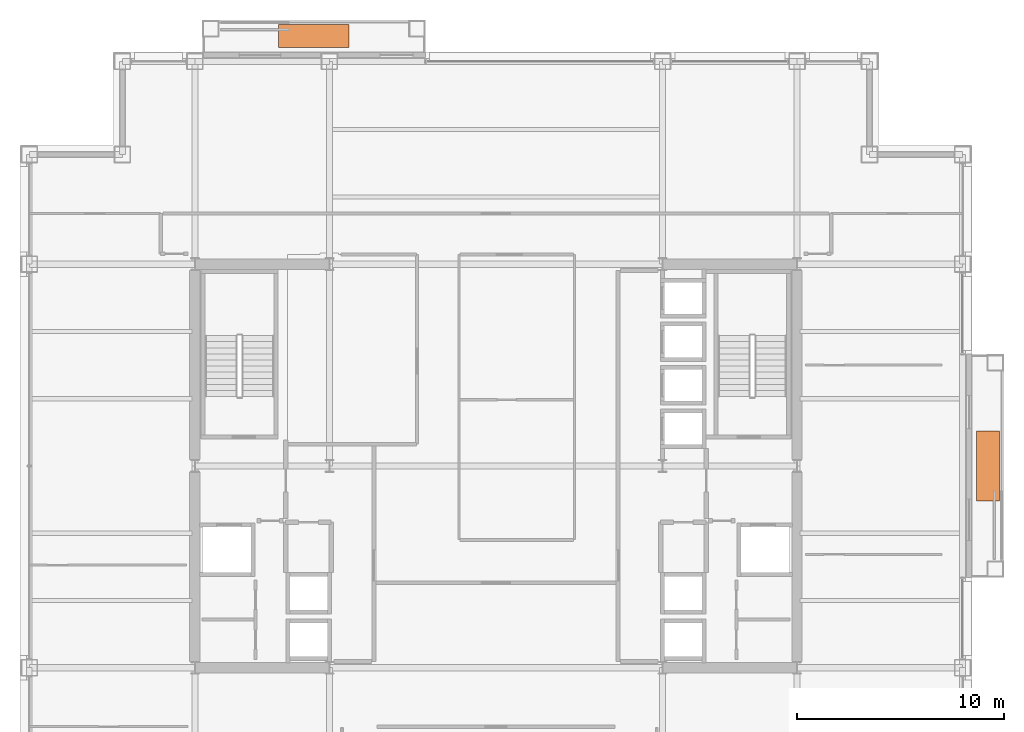
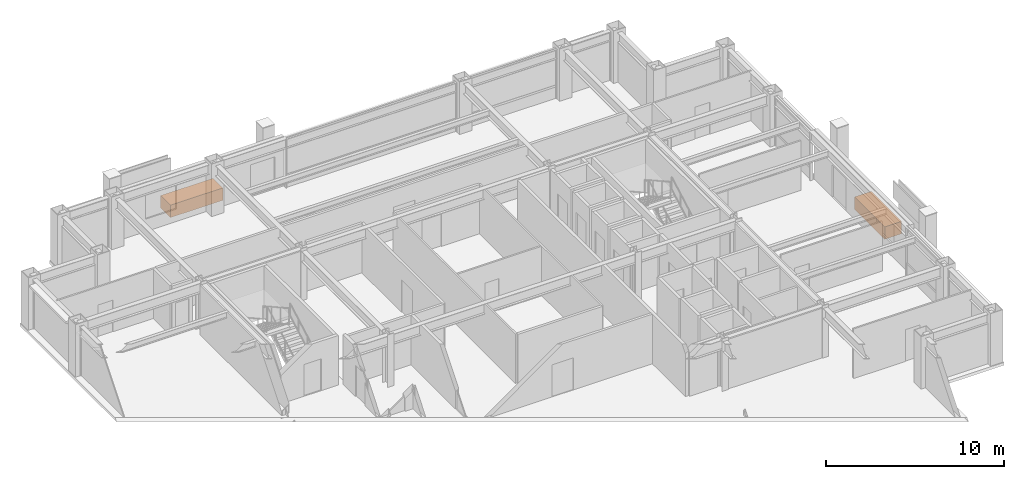
# One storey, part 29 of 29: 2 proxies.
"""IFC4 building model written with IfcOpenShell, lengths in metres."""

from ifc_helpers import new_model, si_unit, direction, frame, origin, origin_2d, place, context, subcontext, project, spatial, rectangle, extrude, material, type_object, element, save


model = new_model("IFC4")

# Units and contexts
model_context = context("Model", 3, precision=1e-05, world=origin(), true_north=direction((0.0, 1.0)))
body_context = subcontext(model_context, "Body", "Model", "MODEL_VIEW")
ifc_project = project(units=[si_unit("LENGTHUNIT", "METRE"), si_unit("AREAUNIT", "SQUARE_METRE"), si_unit("VOLUMEUNIT", "CUBIC_METRE"), si_unit("PLANEANGLEUNIT", "RADIAN"), si_unit("MASSUNIT", "GRAM", prefix="KILO")], contexts=[model_context])

# Site, building, storey
site_placement = place(None, origin())
site = spatial("IfcSite", under=ifc_project, at=site_placement, CompositionType="ELEMENT")
building_placement = place(site_placement, origin())
building = spatial("IfcBuilding", under=site, at=building_placement, Name="Brelmoor Portico Tower", CompositionType="ELEMENT")
storey_placement = place(building_placement, frame((0.0, 0.0, 127.800048828125)))
storey = spatial("IfcBuildingStorey", under=building, at=storey_placement, Name="L33", CompositionType="ELEMENT", Elevation=127.800048828125)

# Proxies
ifc_material = material(Name="Architectural Precast Concrete C40", Category="concrete")
building_element_proxy_type = type_object("IfcBuildingElementProxyType", Name="TREE PLANTER", PredefinedType="USERDEFINED", material=ifc_material)
for number, where, z_axis, x_axis, name in (
    (1, (-8.800048828125, 20.77490234375, 0.0), (0.0, 0.0, 1.0), (1.0, 0.0, 0.0), "L33 Planted Tree Planter N"),
    (2, (23.77490234375, 0.0, 0.0), (0.0, 0.0, 1.0), (0.0, 1.0, 0.0), "L33 Planted Tree Planter E"),
):
    element("IfcBuildingElementProxy", number, at=place(storey_placement, frame(where, z_axis=z_axis, x_axis=x_axis)), inside=storey, type_object=building_element_proxy_type, Name=name, ObjectType="PLANTER", PredefinedType="USERDEFINED", context=body_context, shape_type="SweptSolid", body=[
        extrude(rectangle(XDim=3.39990234375, YDim=1.10009765625, at=origin_2d()), origin(), (0.0, 0.0, 1.0), 0.85009765625),
    ])

save(model, "model.ifc")
